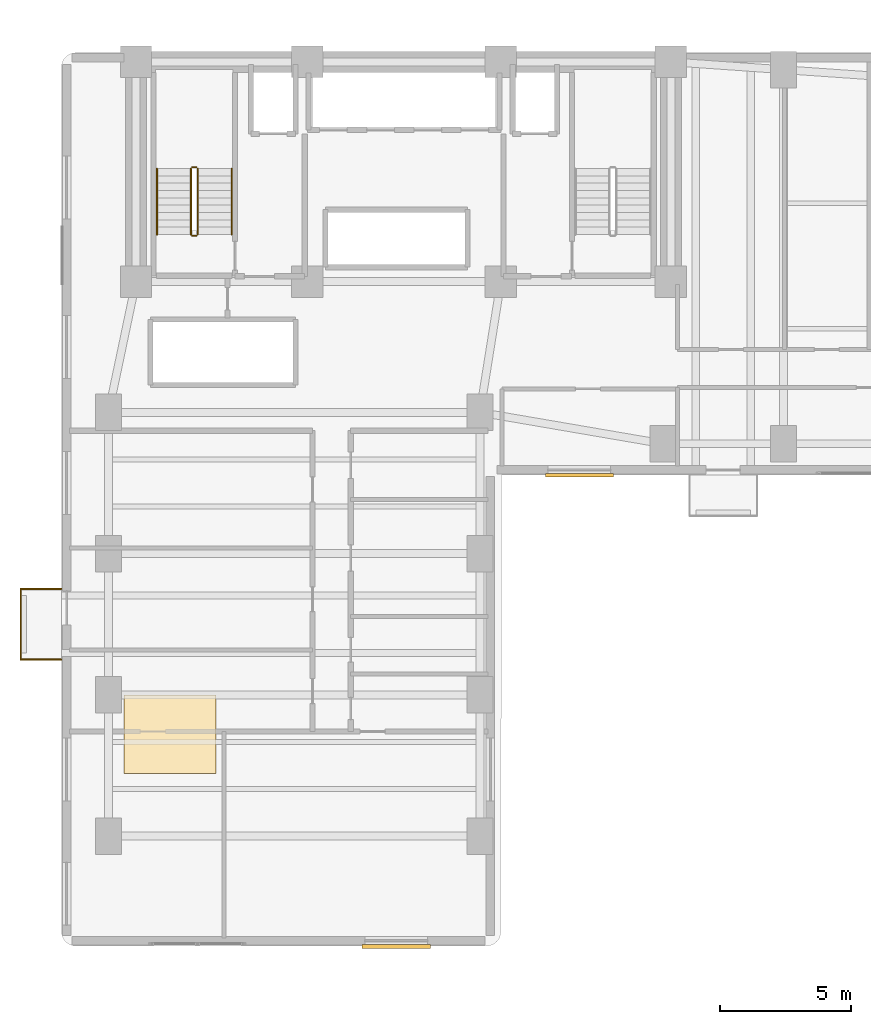
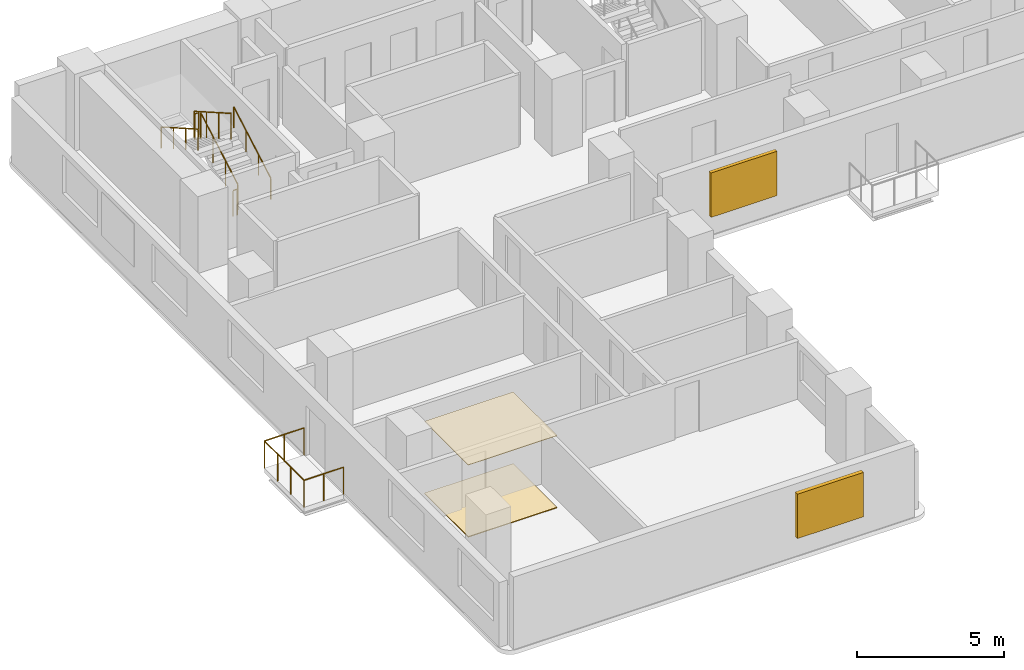
# One storey, part 14 of 17: 9 railings, 2 coverings, 2 shading devices.
"""IFC4 building model written with IfcOpenShell, lengths in metres."""

from ifc_helpers import new_model, si_unit, direction, frame, origin, origin_2d, place, context, subcontext, project, spatial, polyline, rectangle, circle, outline, extrude, material, layer, layer_set, type_object, element, save


model = new_model("IFC4")

# Units and contexts
model_context = context("Model", 3, precision=1e-05, world=origin(), true_north=direction((0.0, 1.0)))
body_context = subcontext(model_context, "Body", "Model", "MODEL_VIEW")
ifc_project = project(units=[si_unit("LENGTHUNIT", "METRE"), si_unit("AREAUNIT", "SQUARE_METRE"), si_unit("VOLUMEUNIT", "CUBIC_METRE"), si_unit("PLANEANGLEUNIT", "RADIAN"), si_unit("MASSUNIT", "GRAM", prefix="KILO")], contexts=[model_context])

# Site, building, storey
site_placement = place(None, origin())
site = spatial("IfcSite", under=ifc_project, at=site_placement, CompositionType="ELEMENT")
building_placement = place(site_placement, origin())
building = spatial("IfcBuilding", under=site, at=building_placement, Name="Kuzgunbayir Cultural Tower", CompositionType="ELEMENT")
storey_placement = place(building_placement, frame((0.0, 0.0, 56.39990234375)))
storey = spatial("IfcBuildingStorey", under=building, at=storey_placement, Name="L15", CompositionType="ELEMENT", Elevation=56.39990234375)

# Coverings
ifc_material_1 = material(Name="Perforated Gypsum Acoustic Tile", Category="gypsum")
ifc_layer_1 = layer(ifc_material_1, 0.02490234375)
ifc_layer_set_1 = layer_set([ifc_layer_1], Name="Perforated Gypsum Acoustic Tile")
covering_type_1 = type_object("IfcCoveringType", Name="COV-CEIL-ACOUSTIC", PredefinedType="CEILING", material=ifc_layer_set_1)
covering_1_placement = place(storey_placement, frame((0.0, 0.0, 3.0)))
element("IfcCovering", 1, at=covering_1_placement, inside=storey, type_object=covering_type_1, Name="L15 Acoustic Soffit Ceiling", PredefinedType="CEILING", context=body_context, shape_type="SweptSolid", body=[
    extrude(outline(polyline([(6.0, 15.0), (9.5, 15.0), (9.5, 18.0), (6.0, 18.0), (6.0, 15.0)])), origin(), (0.0, 0.0, 1.0), 0.02001953125),
])
ifc_material_2 = material(Name="Honed Anatolian Marble Terrazzo", Category="masonry")
ifc_layer_2 = layer(ifc_material_2, 0.030029296875)
ifc_layer_set_2 = layer_set([ifc_layer_2], Name="Honed Anatolian Marble Terrazzo")
covering_type_2 = type_object("IfcCoveringType", Name="COV-FLOOR-TERRAZZO", PredefinedType="FLOORING", material=ifc_layer_set_2)
covering_2_placement = place(storey_placement, origin())
element("IfcCovering", 2, at=covering_2_placement, inside=storey, type_object=covering_type_2, Name="L15 Acoustic Floor Finish", PredefinedType="FLOORING", context=body_context, shape_type="SweptSolid", body=[
    extrude(outline(polyline([(6.0, 15.0), (9.5, 15.0), (9.5, 18.0), (6.0, 18.0), (6.0, 15.0)])), origin(), (0.0, 0.0, 1.0), 0.030029296875),
])

# Railings
ifc_material_3 = material(Name="Laminated Glass and Stainless Steel", Category="steel")
ifc_layer_3 = layer(ifc_material_3, 0.080078125)
ifc_layer_set_3 = layer_set([ifc_layer_3], Name="Laminated Glass and Stainless Steel")
railing_type_1 = type_object("IfcRailingType", Name="RLG-BAL-115", PredefinedType="BALUSTRADE", material=ifc_layer_set_3)
railing_1_placement = place(storey_placement, frame((3.60009765625, 19.35009765625, 0.0)))
element("IfcRailing", 3, at=railing_1_placement, inside=storey, type_object=railing_type_1, Name="L15 Balcony Guard BAL-L15-WA2 Segment 1", PredefinedType="BALUSTRADE", context=body_context, shape_type="SweptSolid", body=[
    extrude(circle(Radius=0.02392578125, at=origin_2d()), frame((0.0, 0.0, 1.1259765625), z_axis=(-1.0, 0.0, 0.0), x_axis=(0.0, -1.0, 0.0)), (0.0, 0.0, 1.0), 1.56005859375),
    extrude(circle(Radius=0.02099609375, at=origin_2d()), origin(), (0.0, 0.0, 1.0), 1.101806640625),
    extrude(circle(Radius=0.02099609375, at=origin_2d()), frame((-0.780029296875, 0.0, 0.0)), (0.0, 0.0, 1.0), 1.101806640625),
    extrude(circle(Radius=0.02099609375, at=origin_2d()), frame((-1.56005859375, 0.0, 0.0)), (0.0, 0.0, 1.0), 1.101806640625),
])
railing_2_placement = place(storey_placement, frame((2.0400390625, 19.35009765625, 0.0)))
element("IfcRailing", 4, at=railing_2_placement, inside=storey, type_object=railing_type_1, Name="L15 Balcony Guard BAL-L15-WA2 Segment 2", PredefinedType="BALUSTRADE", context=body_context, shape_type="SweptSolid", body=[
    extrude(circle(Radius=0.02392578125, at=origin_2d()), frame((0.0, 0.0, 1.1259765625), z_axis=(0.0, 1.0, 0.0), x_axis=(-1.0, 0.0, 0.0)), (0.0, 0.0, 1.0), 2.699951171875),
    extrude(circle(Radius=0.02099609375, at=origin_2d()), origin(), (0.0, 0.0, 1.0), 1.101806640625),
    extrude(circle(Radius=0.02099609375, at=origin_2d()), frame((0.0, 0.89990234375, 0.0)), (0.0, 0.0, 1.0), 1.101806640625),
    extrude(circle(Radius=0.02099609375, at=origin_2d()), frame((0.0, 1.800048828125, 0.0)), (0.0, 0.0, 1.0), 1.101806640625),
    extrude(circle(Radius=0.02099609375, at=origin_2d()), frame((0.0, 2.699951171875, 0.0)), (0.0, 0.0, 1.0), 1.101806640625),
])
railing_3_placement = place(storey_placement, frame((2.0400390625, 22.050048828125, 0.0)))
element("IfcRailing", 5, at=railing_3_placement, inside=storey, type_object=railing_type_1, Name="L15 Balcony Guard BAL-L15-WA2 Segment 3", PredefinedType="BALUSTRADE", context=body_context, shape_type="SweptSolid", body=[
    extrude(circle(Radius=0.02392578125, at=origin_2d()), frame((0.0, 0.0, 1.1259765625), z_axis=(1.0, 0.0, 0.0), x_axis=(0.0, 1.0, 0.0)), (0.0, 0.0, 1.0), 1.56005859375),
    extrude(circle(Radius=0.02099609375, at=origin_2d()), origin(), (0.0, 0.0, 1.0), 1.101806640625),
    extrude(circle(Radius=0.02099609375, at=origin_2d()), frame((0.780029296875, 0.0, 0.0)), (0.0, 0.0, 1.0), 1.101806640625),
    extrude(circle(Radius=0.02099609375, at=origin_2d()), frame((1.56005859375, 0.0, 0.0)), (0.0, 0.0, 1.0), 1.101806640625),
])
ifc_material_4 = material(Name="Brushed Stainless Steel", Category="steel")
ifc_layer_4 = layer(ifc_material_4, 0.050048828125)
ifc_layer_set_4 = layer_set([ifc_layer_4], Name="Brushed Stainless Steel")
railing_type_2 = type_object("IfcRailingType", Name="RLG-STAIR-HANDRAIL", PredefinedType="HANDRAIL", material=ifc_layer_set_4)
railing_4_placement = place(storey_placement, frame((10.110107421875, 35.60009765625, 0.16015625)))
element("IfcRailing", 6, at=railing_4_placement, inside=storey, type_object=railing_type_2, Name="L15 ST-1 stair handrail 1", PredefinedType="HANDRAIL", context=body_context, shape_type="SweptSolid", body=[
    extrude(circle(Radius=0.02392578125, at=origin_2d()), frame((0.0, 0.0, 0.8759765625), z_axis=(0.0, 0.868253494771, 0.496120820787), x_axis=(-1.0, 0.0, 0.0)), (0.0, 0.0, 1.0), 2.90234375),
    extrude(circle(Radius=0.02099609375, at=origin_2d()), origin(), (0.0, 0.0, 1.0), 0.851806640625),
    extrude(circle(Radius=0.02099609375, at=origin_2d()), frame((0.0, 0.840087890625, 0.47998046875)), (0.0, 0.0, 1.0), 0.851806640625),
    extrude(circle(Radius=0.02099609375, at=origin_2d()), frame((0.0, 1.679931640625, 0.9599609375)), (0.0, 0.0, 1.0), 0.851806640625),
    extrude(circle(Radius=0.02099609375, at=origin_2d()), frame((0.0, 2.52001953125, 1.43994140625)), (0.0, 0.0, 1.0), 0.851806640625),
])
railing_5_placement = place(storey_placement, frame((7.25, 38.1201171875, 1.760009765625)))
element("IfcRailing", 7, at=railing_5_placement, inside=storey, type_object=railing_type_2, Name="L15 ST-1 stair handrail 2", PredefinedType="HANDRAIL", context=body_context, shape_type="SweptSolid", body=[
    extrude(circle(Radius=0.02392578125, at=origin_2d()), frame((0.0, 0.0, 0.8759765625), z_axis=(0.0, -0.868217259934, 0.496184229447), x_axis=(1.0, 0.0, 0.0)), (0.0, 0.0, 1.0), 2.902587890625),
    extrude(circle(Radius=0.02099609375, at=origin_2d()), origin(), (0.0, 0.0, 1.0), 0.851806640625),
    extrude(circle(Radius=0.02099609375, at=origin_2d()), frame((0.0, -0.840087890625, 0.47998046875)), (0.0, 0.0, 1.0), 0.851806640625),
    extrude(circle(Radius=0.02099609375, at=origin_2d()), frame((0.0, -1.679931640625, 0.960205078125)), (0.0, 0.0, 1.0), 0.851806640625),
    extrude(circle(Radius=0.02099609375, at=origin_2d()), frame((0.0, -2.52001953125, 1.440185546875)), (0.0, 0.0, 1.0), 0.851806640625),
])
ifc_material_5 = material(Name="Painted Steel Balustrade", Category="steel")
ifc_layer_5 = layer(ifc_material_5, 0.06005859375)
ifc_layer_set_5 = layer_set([ifc_layer_5], Name="Painted Steel Balustrade")
railing_type_3 = type_object("IfcRailingType", Name="RLG-WELL-GUARD", PredefinedType="GUARDRAIL", material=ifc_layer_set_5)
railing_6_placement = place(storey_placement, frame((8.81005859375, 35.60009765625, 0.16015625)))
element("IfcRailing", 8, at=railing_6_placement, inside=storey, type_object=railing_type_3, Name="L15 ST-1 stair guard 1", PredefinedType="GUARDRAIL", context=body_context, shape_type="SweptSolid", body=[
    extrude(circle(Radius=0.02392578125, at=origin_2d()), frame((0.0, 0.0, 1.076171875), z_axis=(0.0, 0.868253494771, 0.496120820787), x_axis=(-1.0, 0.0, 0.0)), (0.0, 0.0, 1.0), 2.90234375),
    extrude(circle(Radius=0.02099609375, at=origin_2d()), origin(), (0.0, 0.0, 1.0), 1.052001953125),
    extrude(circle(Radius=0.02099609375, at=origin_2d()), frame((0.0, 0.840087890625, 0.47998046875)), (0.0, 0.0, 1.0), 1.052001953125),
    extrude(circle(Radius=0.02099609375, at=origin_2d()), frame((0.0, 1.679931640625, 0.9599609375)), (0.0, 0.0, 1.0), 1.052001953125),
    extrude(circle(Radius=0.02099609375, at=origin_2d()), frame((0.0, 2.52001953125, 1.43994140625)), (0.0, 0.0, 1.0), 1.052001953125),
])
railing_7_placement = place(storey_placement, frame((8.760009765625, 38.169921875, 1.60009765625)))
element("IfcRailing", 9, at=railing_7_placement, inside=storey, type_object=railing_type_3, Name="L15 ST-1 stair guard 2", PredefinedType="GUARDRAIL", context=body_context, shape_type="SweptSolid", body=[
    extrude(circle(Radius=0.02392578125, at=origin_2d()), frame((0.0, 0.0, 1.076171875), z_axis=(-1.0, 0.0, 0.0), x_axis=(0.0, -1.0, 0.0)), (0.0, 0.0, 1.0), 0.159912109375),
    extrude(circle(Radius=0.02099609375, at=origin_2d()), origin(), (0.0, 0.0, 1.0), 1.052001953125),
    extrude(circle(Radius=0.02099609375, at=origin_2d()), frame((-0.159912109375, 0.0, 0.0)), (0.0, 0.0, 1.0), 1.052001953125),
])
railing_8_placement = place(storey_placement, frame((8.550048828125, 38.1201171875, 1.760009765625)))
element("IfcRailing", 10, at=railing_8_placement, inside=storey, type_object=railing_type_3, Name="L15 ST-1 stair guard 3", PredefinedType="GUARDRAIL", context=body_context, shape_type="SweptSolid", body=[
    extrude(circle(Radius=0.02392578125, at=origin_2d()), frame((0.0, 0.0, 1.076171875), z_axis=(0.0, -0.868217259934, 0.496184229447), x_axis=(1.0, 0.0, 0.0)), (0.0, 0.0, 1.0), 2.902587890625),
    extrude(circle(Radius=0.02099609375, at=origin_2d()), origin(), (0.0, 0.0, 1.0), 1.052001953125),
    extrude(circle(Radius=0.02099609375, at=origin_2d()), frame((0.0, -0.840087890625, 0.47998046875)), (0.0, 0.0, 1.0), 1.052001953125),
    extrude(circle(Radius=0.02099609375, at=origin_2d()), frame((0.0, -1.679931640625, 0.960205078125)), (0.0, 0.0, 1.0), 1.052001953125),
    extrude(circle(Radius=0.02099609375, at=origin_2d()), frame((0.0, -2.52001953125, 1.440185546875)), (0.0, 0.0, 1.0), 1.052001953125),
])
railing_9_placement = place(storey_placement, frame((8.760009765625, 35.550048828125, 0.0)))
element("IfcRailing", 11, at=railing_9_placement, inside=storey, type_object=railing_type_3, Name="L15 ST-1 stair guard 4", PredefinedType="GUARDRAIL", context=body_context, shape_type="SweptSolid", body=[
    extrude(circle(Radius=0.02392578125, at=origin_2d()), frame((0.0, 0.0, 1.076171875), z_axis=(-1.0, 0.0, 0.0), x_axis=(0.0, -1.0, 0.0)), (0.0, 0.0, 1.0), 0.159912109375),
    extrude(circle(Radius=0.02099609375, at=origin_2d()), origin(), (0.0, 0.0, 1.0), 1.052001953125),
    extrude(circle(Radius=0.02099609375, at=origin_2d()), frame((-0.159912109375, 0.0, 0.0)), (0.0, 0.0, 1.0), 1.052001953125),
])

# Shading devices
ifc_material_6 = material(Name="Perforated Bronze-Anodised Aluminium", Category="aluminium")
shading_device_type_1 = type_object("IfcShadingDeviceType", Name="SHD-SOLAR-BRONZE", PredefinedType="JALOUSIE", material=ifc_material_6)
shading_device_1_placement = place(storey_placement, frame((23.39990234375, 26.389892578125, 0.824951171875), z_axis=(0.0, 0.0, 1.0), x_axis=(1.0, 0.0, 0.0)))
element("IfcShadingDevice", 12, at=shading_device_1_placement, inside=storey, type_object=shading_device_type_1, Name="L15 Solar Screen WBS8", PredefinedType="JALOUSIE", context=body_context, shape_type="SweptSolid", body=[
    extrude(rectangle(XDim=2.60009765625, YDim=0.139892578125, at=origin_2d()), origin(), (0.0, 0.0, 1.0), 1.85009765625),
])
ifc_material_7 = material(Name="Warm Terracotta Ceramic Baguette", Category="masonry")
shading_device_type_2 = type_object("IfcShadingDeviceType", Name="SHD-SOLAR-CERAMIC", PredefinedType="SHUTTER", material=ifc_material_7)
shading_device_2_placement = place(storey_placement, frame((16.39990234375, 8.3798828125, 0.824951171875), z_axis=(0.0, 0.0, 1.0), x_axis=(1.0, 0.0, 0.0)))
element("IfcShadingDevice", 13, at=shading_device_2_placement, inside=storey, type_object=shading_device_type_2, Name="L15 Solar Screen WAS7", PredefinedType="SHUTTER", context=body_context, shape_type="SweptSolid", body=[
    extrude(rectangle(XDim=2.60009765625, YDim=0.159912109375, at=origin_2d()), origin(), (0.0, 0.0, 1.0), 1.85009765625),
])

save(model, "model.ifc")
